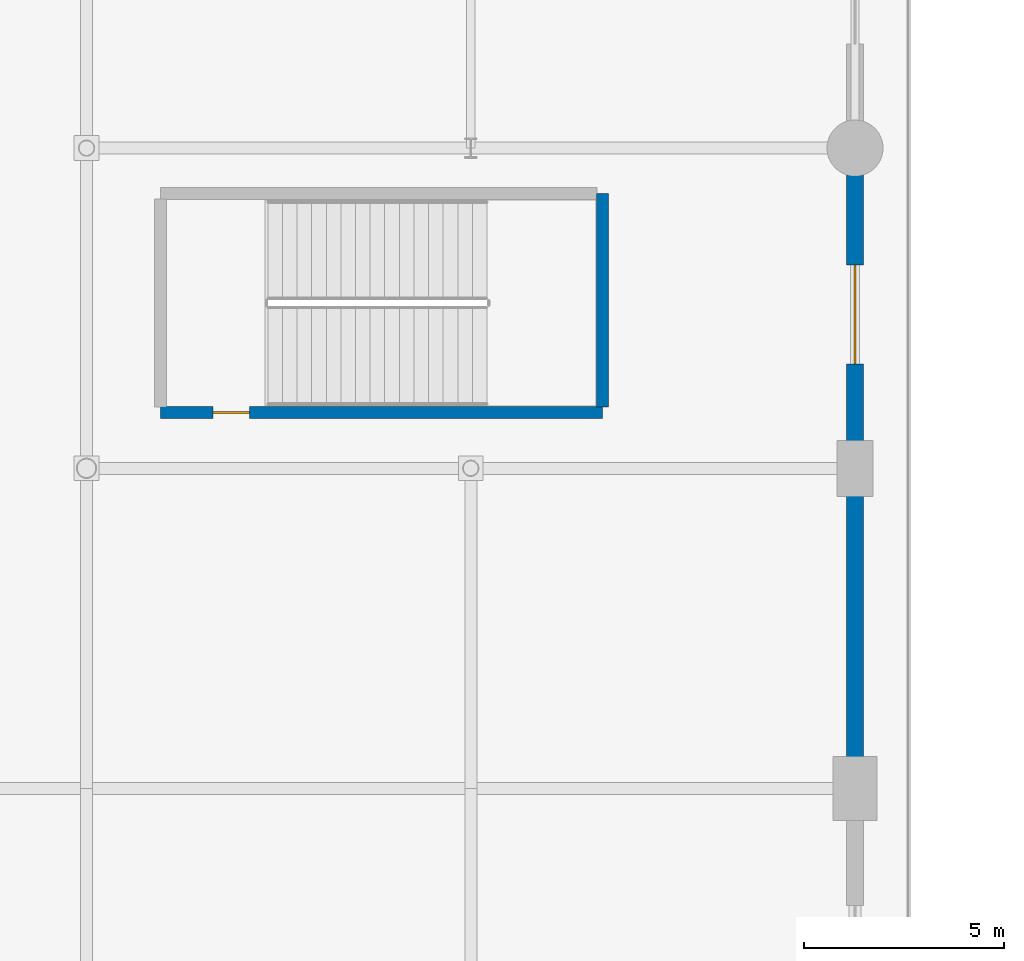
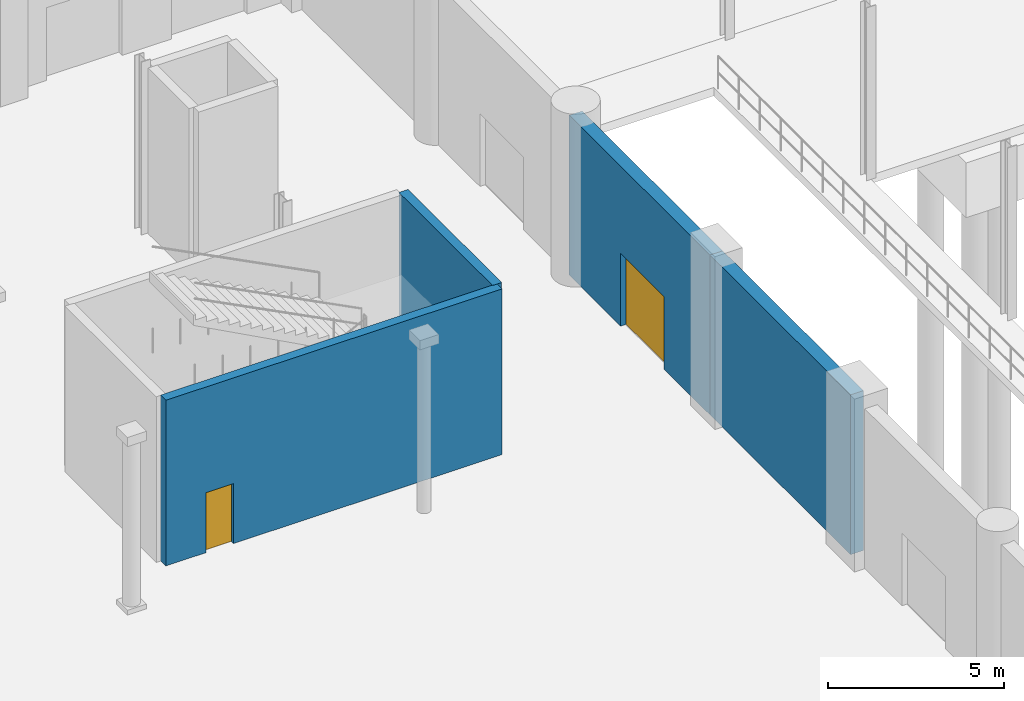
# One storey, part 79 of 124: 4 walls, 2 doors, 2 openings.
"""IFC4 building model written with IfcOpenShell, lengths in metres."""

from ifc_helpers import new_model, si_unit, direction, frame, frame_2d, origin, place, context, subcontext, project, spatial, rectangle, extrude, material, layer, layer_set, type_object, element, fill, save


model = new_model("IFC4")

# Units and contexts
model_context = context("Model", 3, precision=1e-05, world=origin(), true_north=direction((0.0, 1.0)))
body_context = subcontext(model_context, "Body", "Model", "MODEL_VIEW")
ifc_project = project(units=[si_unit("LENGTHUNIT", "METRE"), si_unit("AREAUNIT", "SQUARE_METRE"), si_unit("VOLUMEUNIT", "CUBIC_METRE"), si_unit("PLANEANGLEUNIT", "RADIAN"), si_unit("MASSUNIT", "GRAM", prefix="KILO")], contexts=[model_context])

# Site, building, storey
site_placement = place(None, origin())
site = spatial("IfcSite", under=ifc_project, at=site_placement, CompositionType="ELEMENT")
building_placement = place(site_placement, origin())
building = spatial("IfcBuilding", under=site, at=building_placement, Name="Danafjord Basin Convention Centre", CompositionType="ELEMENT")
storey_placement = place(building_placement, origin())
storey = spatial("IfcBuildingStorey", under=building, at=storey_placement, Name="L00", CompositionType="ELEMENT", Elevation=0.0)

# Wall, opening, door
ifc_material_1 = material(Name="Concrete C40/50", Category="concrete")
ifc_layer_1 = layer(ifc_material_1, 0.300048828125)
ifc_layer_set_1 = layer_set([ifc_layer_1], Name="Concrete C40/50")
wall_type_1 = type_object("IfcWallType", Name="WALL-CW-CORE300", PredefinedType="SHEAR", material=ifc_layer_set_1)
wall_1_placement = place(storey_placement, frame((108.889892578125, 121.39990234375, 0.0), z_axis=(0.0, 0.0, 1.0), x_axis=(-1.0, 0.0, 0.0)))
wall_1 = element("IfcWall", 1, at=wall_1_placement, inside=storey, type_object=wall_type_1, Name="North Exhibition Core Stair 1 core shear wall (south)", PredefinedType="SHEAR", context=body_context, shape_type="SweptSolid", body=[
    extrude(rectangle(XDim=11.039794921875, YDim=0.300048828125, at=frame_2d((5.52001953125, 0.0))), origin(), (0.0, 0.0, 1.0), 5.75),
])
opening_1_placement = place(wall_1_placement, frame((8.818115234375, 0.0, 0.0)))
opening_1 = element("IfcOpeningElement", 2, at=opening_1_placement, cuts=wall_1, Name="Opening FD-S01", PredefinedType="OPENING", context=body_context, shape_type="SweptSolid", body=[
    extrude(rectangle(XDim=0.909912109375, YDim=2.080078125, at=frame_2d((0.455078125, 1.0400390625))), frame((0.0, 0.159912109375, 0.0), z_axis=(0.0, -1.0, 0.0), x_axis=(1.0, 0.0, 0.0)), (0.0, 0.0, 1.0), 0.320068359375),
])
ifc_material_2 = material(Name="Powder-coated steel and Nordic oak", Category="steel")
door_type_1 = type_object("IfcDoorType", Name="DOOR-FD-S01", OperationType="NOTDEFINED", PredefinedType="DOOR", material=ifc_material_2)
door_1_placement = place(opening_1_placement, origin())
door_1 = element("IfcDoor", 3, at=door_1_placement, inside=storey, type_object=door_type_1, Name="North Exhibition Core Stair 1 L00 Fire Exit Door", OperationType="SINGLE_SWING_LEFT", OverallHeight=2.080078125, OverallWidth=0.909912109375, PredefinedType="DOOR", context=body_context, shape_type="SweptSolid", body=[
    extrude(rectangle(XDim=0.909912109375, YDim=2.080078125, at=frame_2d((0.455078125, 1.0400390625))), frame((0.0, 0.02490234375, 0.0), z_axis=(0.0, -1.0, 0.0), x_axis=(1.0, 0.0, 0.0)), (0.0, 0.0, 1.0), 0.050048828125),
])
fill(opening_1, door_1)

# Walls
wall_2_placement = place(storey_placement, frame((108.889892578125, 126.860107421875, 0.0), z_axis=(0.0, 0.0, 1.0), x_axis=(0.0, -1.0, 0.0)))
element("IfcWall", 4, at=wall_2_placement, inside=storey, type_object=wall_type_1, Name="North Exhibition Core Stair 1 core shear wall (east)", PredefinedType="SHEAR", context=body_context, shape_type="SweptSolid", body=[
    extrude(rectangle(XDim=5.3251953125, YDim=0.300048828125, at=frame_2d((2.66259765625, 0.0))), origin(), (0.0, 0.0, 1.0), 5.75),
])
ifc_material_3 = material(Name="Precast concrete C45/55", Category="concrete")
ifc_layer_2 = layer(ifc_material_3, 0.419921875)
ifc_layer_set_2 = layer_set([ifc_layer_2], Name="Precast concrete C45/55")
wall_type_2 = type_object("IfcWallType", Name="WALL-EW-PC420", PredefinedType="SOLIDWALL", material=ifc_layer_set_2)
wall_3_placement = place(storey_placement, frame((115.199951171875, 112.0, 0.0), z_axis=(0.0, 0.0, 1.0), x_axis=(0.0, 1.0, 0.0)))
element("IfcWall", 5, at=wall_3_placement, inside=storey, type_object=wall_type_2, Name="Exhibition hall E precast wall bay 8", PredefinedType="SOLIDWALL", context=body_context, shape_type="SweptSolid", body=[
    extrude(rectangle(XDim=8.0, YDim=0.419921875, at=frame_2d((4.0, 0.0))), origin(), (0.0, 0.0, 1.0), 5.550048828125),
])

# Wall, opening, door
wall_4_placement = place(storey_placement, frame((115.199951171875, 120.0, 0.0), z_axis=(0.0, 0.0, 1.0), x_axis=(0.0, 1.0, 0.0)))
wall_4 = element("IfcWall", 6, at=wall_4_placement, inside=storey, type_object=wall_type_2, Name="Exhibition hall E precast wall bay 9", PredefinedType="SOLIDWALL", context=body_context, shape_type="SweptSolid", body=[
    extrude(rectangle(XDim=8.0, YDim=0.419921875, at=frame_2d((4.0, 0.0))), origin(), (0.0, 0.0, 1.0), 5.550048828125),
])
opening_2_placement = place(wall_4_placement, frame((2.60009765625, 0.0, 0.0)))
opening_2 = element("IfcOpeningElement", 7, at=opening_2_placement, cuts=wall_4, Name="Opening ED-02", PredefinedType="OPENING", context=body_context, shape_type="SweptSolid", body=[
    extrude(rectangle(XDim=2.47998046875, YDim=2.52001953125, at=frame_2d((1.239990234375, 1.260009765625))), frame((0.0, 0.219970703125, 0.0), z_axis=(0.0, -1.0, 0.0), x_axis=(1.0, 0.0, 0.0)), (0.0, 0.0, 1.0), 0.43994140625),
])
ifc_material_4 = material(Name="Thermally broken anodised aluminium and steel", Category="steel")
door_type_2 = type_object("IfcDoorType", Name="DOOR-ED-02", OperationType="DOUBLE_DOOR_SINGLE_SWING", PredefinedType="DOOR", material=ifc_material_4)
door_2_placement = place(opening_2_placement, origin())
door_2 = element("IfcDoor", 8, at=door_2_placement, inside=storey, type_object=door_type_2, Name="Exhibition Hall E Exit Door", OperationType="DOUBLE_DOOR_SINGLE_SWING", OverallHeight=2.52001953125, OverallWidth=2.47998046875, PredefinedType="DOOR", context=body_context, shape_type="SweptSolid", body=[
    extrude(rectangle(XDim=2.47998046875, YDim=2.52001953125, at=frame_2d((1.239990234375, 1.260009765625))), frame((0.0, 0.02490234375, 0.0), z_axis=(0.0, -1.0, 0.0), x_axis=(1.0, 0.0, 0.0)), (0.0, 0.0, 1.0), 0.050048828125),
])
fill(opening_2, door_2)

save(model, "model.ifc")
